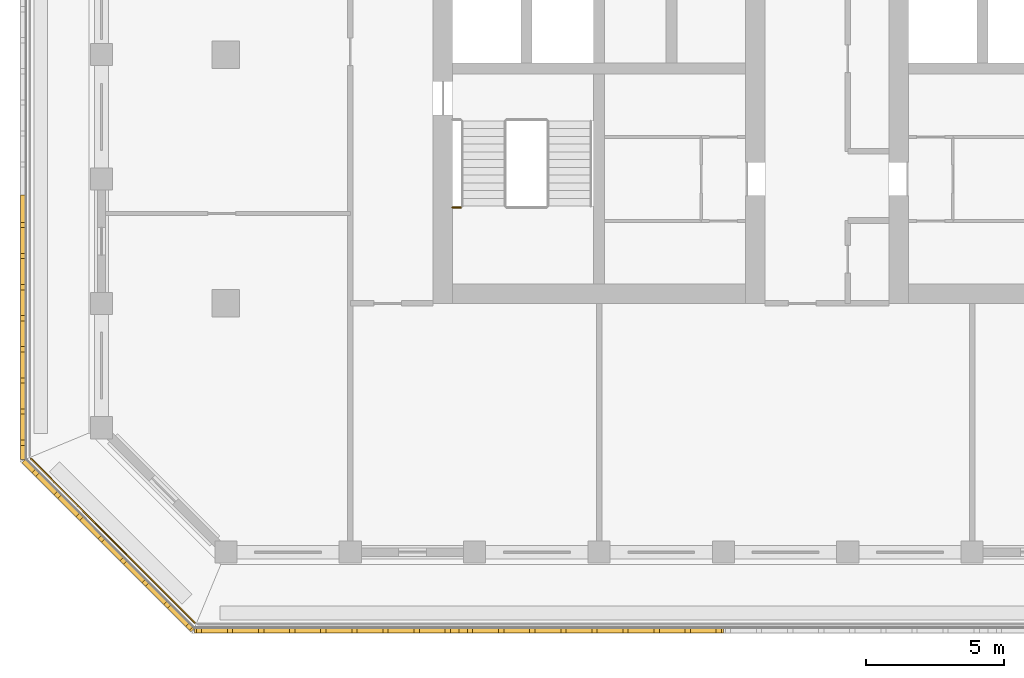
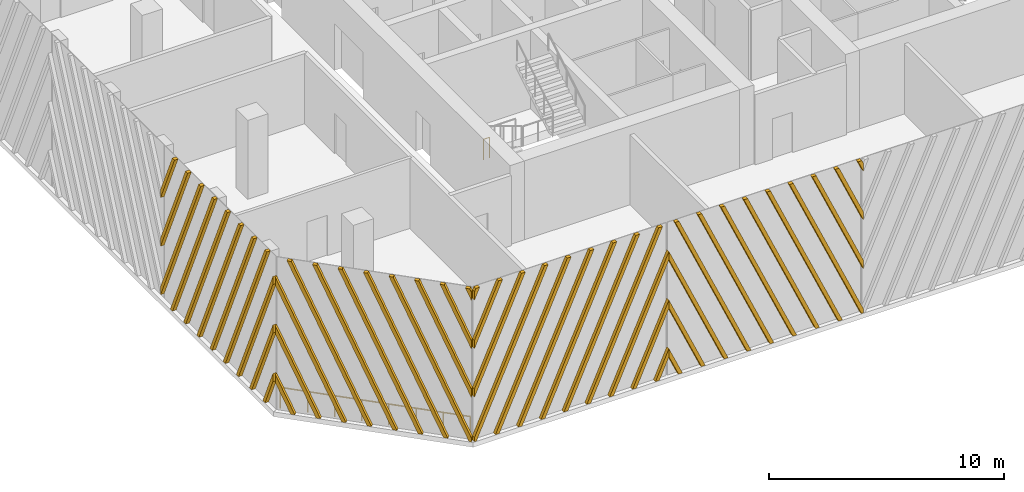
# One storey, part 8 of 15: 4 shading devices, 2 railings.
"""IFC4 building model written with IfcOpenShell, lengths in metres."""

from ifc_helpers import new_model, si_unit, direction, frame, origin, origin_2d, place, context, subcontext, project, spatial, polyline, circle, outline, extrude, source, transform, mapped, material, type_object, element, save


model = new_model("IFC4")

# Units and contexts
model_context = context("Model", 3, precision=1e-05, world=origin(), true_north=direction((0.0, 1.0)))
body_context = subcontext(model_context, "Body", "Model", "MODEL_VIEW")
ifc_project = project(units=[si_unit("LENGTHUNIT", "METRE"), si_unit("AREAUNIT", "SQUARE_METRE"), si_unit("VOLUMEUNIT", "CUBIC_METRE"), si_unit("PLANEANGLEUNIT", "RADIAN"), si_unit("MASSUNIT", "GRAM", prefix="KILO")], contexts=[model_context])

# Site, building, storey
site_placement = place(None, origin())
site = spatial("IfcSite", under=ifc_project, at=site_placement, CompositionType="ELEMENT")
building_placement = place(site_placement, origin())
building = spatial("IfcBuilding", under=site, at=building_placement, Name="Corbel Stack Research Tower", CompositionType="ELEMENT")
storey_placement = place(building_placement, frame((0.0, 0.0, 274.5)))
storey = spatial("IfcBuildingStorey", under=building, at=storey_placement, Name="L62", CompositionType="ELEMENT", Elevation=274.5)

# Railings
ifc_material_1 = material(Name="Steel S355", Category="steel")
railing_type_1 = type_object("IfcRailingType", Name="Stair guard 1100", PredefinedType="GUARDRAIL", material=ifc_material_1)
railing_1_placement = place(storey_placement, frame((-9.800048828125, -5.530029296875, 2.050048828125)))
element("IfcRailing", 1, at=railing_1_placement, inside=storey, type_object=railing_type_1, Name="L62 ST-W1 stair guard 3", PredefinedType="GUARDRAIL", context=body_context, shape_type="SweptSolid", body=[
    extrude(circle(Radius=0.02392578125, at=origin_2d()), frame((0.0, 0.0, 1.076171875), z_axis=(1.0, 0.0, 0.0), x_axis=(0.0, 1.0, 0.0)), (0.0, 0.0, 1.0), 0.300048828125),
    extrude(circle(Radius=0.02099609375, at=origin_2d()), origin(), (0.0, 0.0, 1.0), 1.052001953125),
    extrude(circle(Radius=0.02099609375, at=origin_2d()), frame((0.300048828125, 0.0, 0.0)), (0.0, 0.0, 1.0), 1.052001953125),
])
ifc_material_2 = material(Name="Powder-coated steel guard", Category="steel")
railing_type_2 = type_object("IfcRailingType", Name="Steel and glass guard 1100", PredefinedType="GUARDRAIL", material=ifc_material_2)
railing_2_placement = place(storey_placement, frame((-25.04931640625, -14.627685546875, 0.0)))
element("IfcRailing", 2, at=railing_2_placement, inside=storey, type_object=railing_type_2, Name="Loggia guard L62 SW", PredefinedType="GUARDRAIL", context=body_context, shape_type="SweptSolid", body=[
    extrude(circle(Radius=0.02392578125, at=origin_2d()), frame((0.0, 0.0, 1.076171875), z_axis=(0.707106781187, -0.707106781187, 0.0), x_axis=(0.707106781187, 0.707106781187, 0.0)), (0.0, 0.0, 1.0), 8.37451171875),
    extrude(circle(Radius=0.02099609375, at=origin_2d()), origin(), (0.0, 0.0, 1.0), 1.052001953125),
    extrude(circle(Radius=0.02099609375, at=origin_2d()), frame((0.845947265625, -0.845947265625, 0.0)), (0.0, 0.0, 1.0), 1.052001953125),
    extrude(circle(Radius=0.02099609375, at=origin_2d()), frame((1.69189453125, -1.69189453125, 0.0)), (0.0, 0.0, 1.0), 1.052001953125),
    extrude(circle(Radius=0.02099609375, at=origin_2d()), frame((2.537841796875, -2.537841796875, 0.0)), (0.0, 0.0, 1.0), 1.052001953125),
    extrude(circle(Radius=0.02099609375, at=origin_2d()), frame((3.3837890625, -3.3837890625, 0.0)), (0.0, 0.0, 1.0), 1.052001953125),
    extrude(circle(Radius=0.02099609375, at=origin_2d()), frame((4.229736328125, -4.229736328125, 0.0)), (0.0, 0.0, 1.0), 1.052001953125),
    extrude(circle(Radius=0.02099609375, at=origin_2d()), frame((5.07568359375, -5.07568359375, 0.0)), (0.0, 0.0, 1.0), 1.052001953125),
    extrude(circle(Radius=0.02099609375, at=origin_2d()), frame((5.921630859375, -5.921630859375, 0.0)), (0.0, 0.0, 1.0), 1.052001953125),
])

# Shading devices
ifc_material_3 = material(Name="Precast terracotta", Category="masonry")
shading_device_type = type_object("IfcShadingDeviceType", Name="Terracotta screen panel", PredefinedType="USERDEFINED", material=ifc_material_3)
shared_shape_1 = source(origin(), body_context, "Body", "SweptSolid", [
    extrude(outline(polyline([(0.259521484375, 7.949951171875), (0.069580078125, 7.949951171875), (0.0, 7.793701171875), (0.0, 7.366943359375), (0.259521484375, 7.949951171875)])), frame((0.0, 0.0, 0.0), z_axis=(0.0, -1.0, 0.0), x_axis=(1.0, 0.0, 0.0)), (0.0, 0.0, 1.0), 0.179931640625),
    extrude(outline(polyline([(1.384521484375, 7.949951171875), (1.194580078125, 7.949951171875), (0.0, 5.26708984375), (0.0, 4.840087890625), (1.384521484375, 7.949951171875)])), frame((0.0, 0.0, 0.0), z_axis=(0.0, -1.0, 0.0), x_axis=(1.0, 0.0, 0.0)), (0.0, 0.0, 1.0), 0.179931640625),
    extrude(outline(polyline([(2.509521484375, 7.949951171875), (2.319580078125, 7.949951171875), (0.0, 2.740234375), (0.0, 2.3134765625), (2.509521484375, 7.949951171875)])), frame((0.0, 0.0, 0.0), z_axis=(0.0, -1.0, 0.0), x_axis=(1.0, 0.0, 0.0)), (0.0, 0.0, 1.0), 0.179931640625),
    extrude(outline(polyline([(0.094970703125, 0.0), (3.634521484375, 7.949951171875), (3.444580078125, 7.949951171875), (0.0, 0.21337890625), (0.0, 0.0), (0.094970703125, 0.0)])), frame((0.0, 0.0, 0.0), z_axis=(0.0, -1.0, 0.0), x_axis=(1.0, 0.0, 0.0)), (0.0, 0.0, 1.0), 0.179931640625),
    extrude(outline(polyline([(1.219970703125, 0.0), (4.759521484375, 7.949951171875), (4.569580078125, 7.949951171875), (1.030029296875, 0.0), (1.219970703125, 0.0)])), frame((0.0, 0.0, 0.0), z_axis=(0.0, -1.0, 0.0), x_axis=(1.0, 0.0, 0.0)), (0.0, 0.0, 1.0), 0.179931640625),
    extrude(outline(polyline([(2.344970703125, 0.0), (5.884521484375, 7.949951171875), (5.694580078125, 7.949951171875), (2.155029296875, 0.0), (2.344970703125, 0.0)])), frame((0.0, 0.0, 0.0), z_axis=(0.0, -1.0, 0.0), x_axis=(1.0, 0.0, 0.0)), (0.0, 0.0, 1.0), 0.179931640625),
    extrude(outline(polyline([(3.469970703125, 0.0), (7.009521484375, 7.949951171875), (6.819580078125, 7.949951171875), (3.280029296875, 0.0), (3.469970703125, 0.0)])), frame((0.0, 0.0, 0.0), z_axis=(0.0, -1.0, 0.0), x_axis=(1.0, 0.0, 0.0)), (0.0, 0.0, 1.0), 0.179931640625),
    extrude(outline(polyline([(4.594970703125, 0.0), (8.134521484375, 7.949951171875), (7.944580078125, 7.949951171875), (4.405029296875, 0.0), (4.594970703125, 0.0)])), frame((0.0, 0.0, 0.0), z_axis=(0.0, -1.0, 0.0), x_axis=(1.0, 0.0, 0.0)), (0.0, 0.0, 1.0), 0.179931640625),
    extrude(outline(polyline([(5.719970703125, 0.0), (9.259521484375, 7.949951171875), (9.069580078125, 7.949951171875), (5.530029296875, 0.0), (5.719970703125, 0.0)])), frame((0.0, 0.0, 0.0), z_axis=(0.0, -1.0, 0.0), x_axis=(1.0, 0.0, 0.0)), (0.0, 0.0, 1.0), 0.179931640625),
    extrude(outline(polyline([(6.844970703125, 0.0), (9.569580078125, 6.119384765625), (9.569580078125, 6.546142578125), (6.655029296875, 0.0), (6.844970703125, 0.0)])), frame((0.0, 0.0, 0.0), z_axis=(0.0, -1.0, 0.0), x_axis=(1.0, 0.0, 0.0)), (0.0, 0.0, 1.0), 0.179931640625),
    extrude(outline(polyline([(7.969970703125, 0.0), (9.569580078125, 3.592529296875), (9.569580078125, 4.019287109375), (7.780029296875, 0.0), (7.969970703125, 0.0)])), frame((0.0, 0.0, 0.0), z_axis=(0.0, -1.0, 0.0), x_axis=(1.0, 0.0, 0.0)), (0.0, 0.0, 1.0), 0.179931640625),
    extrude(outline(polyline([(9.094970703125, 0.0), (9.569580078125, 1.06591796875), (9.569580078125, 1.49267578125), (8.905029296875, 0.0), (9.094970703125, 0.0)])), frame((0.0, 0.0, 0.0), z_axis=(0.0, -1.0, 0.0), x_axis=(1.0, 0.0, 0.0)), (0.0, 0.0, 1.0), 0.179931640625),
])
shading_device_1_placement = place(storey_placement, frame((-19.13916015625, -20.75, 0.0), z_axis=(0.0, 0.0, 1.0), x_axis=(1.0, 0.0, 0.0)))
element("IfcShadingDevice", 3, at=shading_device_1_placement, inside=storey, type_object=shading_device_type, Name="Terracotta screen L62 S1", ObjectType="SCREEN", PredefinedType="USERDEFINED", context=body_context, shape_type="MappedRepresentation", body=[
    mapped(shared_shape_1, transform((0.0, 0.0, 0.0))),
])
shared_shape_2 = source(origin(), body_context, "Body", "SweptSolid", [
    extrude(outline(polyline([(0.66455078125, 0.0), (0.0, 1.49267578125), (0.0, 1.06591796875), (0.474609375, 0.0), (0.66455078125, 0.0)])), frame((0.0, 0.0, 0.0), z_axis=(0.0, -1.0, 0.0), x_axis=(1.0, 0.0, 0.0)), (0.0, 0.0, 1.0), 0.179931640625),
    extrude(outline(polyline([(1.78955078125, 0.0), (0.0, 4.019287109375), (0.0, 3.592529296875), (1.599609375, 0.0), (1.78955078125, 0.0)])), frame((0.0, 0.0, 0.0), z_axis=(0.0, -1.0, 0.0), x_axis=(1.0, 0.0, 0.0)), (0.0, 0.0, 1.0), 0.179931640625),
    extrude(outline(polyline([(2.91455078125, 0.0), (0.0, 6.546142578125), (0.0, 6.119384765625), (2.724609375, 0.0), (2.91455078125, 0.0)])), frame((0.0, 0.0, 0.0), z_axis=(0.0, -1.0, 0.0), x_axis=(1.0, 0.0, 0.0)), (0.0, 0.0, 1.0), 0.179931640625),
    extrude(outline(polyline([(4.03955078125, 0.0), (0.5, 7.949951171875), (0.31005859375, 7.949951171875), (3.849609375, 0.0), (4.03955078125, 0.0)])), frame((0.0, 0.0, 0.0), z_axis=(0.0, -1.0, 0.0), x_axis=(1.0, 0.0, 0.0)), (0.0, 0.0, 1.0), 0.179931640625),
    extrude(outline(polyline([(5.16455078125, 0.0), (1.625, 7.949951171875), (1.43505859375, 7.949951171875), (4.974609375, 0.0), (5.16455078125, 0.0)])), frame((0.0, 0.0, 0.0), z_axis=(0.0, -1.0, 0.0), x_axis=(1.0, 0.0, 0.0)), (0.0, 0.0, 1.0), 0.179931640625),
    extrude(outline(polyline([(6.28955078125, 0.0), (2.75, 7.949951171875), (2.56005859375, 7.949951171875), (6.099609375, 0.0), (6.28955078125, 0.0)])), frame((0.0, 0.0, 0.0), z_axis=(0.0, -1.0, 0.0), x_axis=(1.0, 0.0, 0.0)), (0.0, 0.0, 1.0), 0.179931640625),
    extrude(outline(polyline([(7.41455078125, 0.0), (3.875, 7.949951171875), (3.68505859375, 7.949951171875), (7.224609375, 0.0), (7.41455078125, 0.0)])), frame((0.0, 0.0, 0.0), z_axis=(0.0, -1.0, 0.0), x_axis=(1.0, 0.0, 0.0)), (0.0, 0.0, 1.0), 0.179931640625),
    extrude(outline(polyline([(8.53955078125, 0.0), (5.0, 7.949951171875), (4.81005859375, 7.949951171875), (8.349609375, 0.0), (8.53955078125, 0.0)])), frame((0.0, 0.0, 0.0), z_axis=(0.0, -1.0, 0.0), x_axis=(1.0, 0.0, 0.0)), (0.0, 0.0, 1.0), 0.179931640625),
    extrude(outline(polyline([(9.569580078125, 0.0), (9.569580078125, 0.21337890625), (6.125, 7.949951171875), (5.93505859375, 7.949951171875), (9.474609375, 0.0), (9.569580078125, 0.0)])), frame((0.0, 0.0, 0.0), z_axis=(0.0, -1.0, 0.0), x_axis=(1.0, 0.0, 0.0)), (0.0, 0.0, 1.0), 0.179931640625),
    extrude(outline(polyline([(7.25, 7.949951171875), (7.06005859375, 7.949951171875), (9.569580078125, 2.3134765625), (9.569580078125, 2.740234375), (7.25, 7.949951171875)])), frame((0.0, 0.0, 0.0), z_axis=(0.0, -1.0, 0.0), x_axis=(1.0, 0.0, 0.0)), (0.0, 0.0, 1.0), 0.179931640625),
    extrude(outline(polyline([(8.375, 7.949951171875), (8.18505859375, 7.949951171875), (9.569580078125, 4.840087890625), (9.569580078125, 5.26708984375), (8.375, 7.949951171875)])), frame((0.0, 0.0, 0.0), z_axis=(0.0, -1.0, 0.0), x_axis=(1.0, 0.0, 0.0)), (0.0, 0.0, 1.0), 0.179931640625),
    extrude(outline(polyline([(9.5, 7.949951171875), (9.31005859375, 7.949951171875), (9.569580078125, 7.366943359375), (9.569580078125, 7.793701171875), (9.5, 7.949951171875)])), frame((0.0, 0.0, 0.0), z_axis=(0.0, -1.0, 0.0), x_axis=(1.0, 0.0, 0.0)), (0.0, 0.0, 1.0), 0.179931640625),
])
shading_device_2_placement = place(storey_placement, frame((-9.569580078125, -20.75, 0.0), z_axis=(0.0, 0.0, 1.0), x_axis=(1.0, 0.0, 0.0)))
element("IfcShadingDevice", 4, at=shading_device_2_placement, inside=storey, type_object=shading_device_type, Name="Terracotta screen L62 S2", ObjectType="SCREEN", PredefinedType="USERDEFINED", context=body_context, shape_type="MappedRepresentation", body=[
    mapped(shared_shape_2, transform((0.0, 0.0, 0.0))),
])
shared_shape_3 = source(origin(), body_context, "Body", "SweptSolid", [
    extrude(outline(polyline([(0.862060546875, 0.0), (0.0, 1.936279296875), (0.0, 1.509521484375), (0.672119140625, 0.0), (0.862060546875, 0.0)])), frame((0.0, 0.0, 0.0), z_axis=(0.0, -1.0, 0.0), x_axis=(1.0, 0.0, 0.0)), (0.0, 0.0, 1.0), 0.179931640625),
    extrude(outline(polyline([(1.987060546875, 0.0), (0.0, 4.463134765625), (0.0, 4.036376953125), (1.797119140625, 0.0), (1.987060546875, 0.0)])), frame((0.0, 0.0, 0.0), z_axis=(0.0, -1.0, 0.0), x_axis=(1.0, 0.0, 0.0)), (0.0, 0.0, 1.0), 0.179931640625),
    extrude(outline(polyline([(3.112060546875, 0.0), (0.0, 6.989990234375), (0.0, 6.563232421875), (2.922119140625, 0.0), (3.112060546875, 0.0)])), frame((0.0, 0.0, 0.0), z_axis=(0.0, -1.0, 0.0), x_axis=(1.0, 0.0, 0.0)), (0.0, 0.0, 1.0), 0.179931640625),
    extrude(outline(polyline([(4.237060546875, 0.0), (0.697509765625, 7.949951171875), (0.507568359375, 7.949951171875), (4.047119140625, 0.0), (4.237060546875, 0.0)])), frame((0.0, 0.0, 0.0), z_axis=(0.0, -1.0, 0.0), x_axis=(1.0, 0.0, 0.0)), (0.0, 0.0, 1.0), 0.179931640625),
    extrude(outline(polyline([(5.362060546875, 0.0), (1.822509765625, 7.949951171875), (1.632568359375, 7.949951171875), (5.172119140625, 0.0), (5.362060546875, 0.0)])), frame((0.0, 0.0, 0.0), z_axis=(0.0, -1.0, 0.0), x_axis=(1.0, 0.0, 0.0)), (0.0, 0.0, 1.0), 0.179931640625),
    extrude(outline(polyline([(6.487060546875, 0.0), (2.947509765625, 7.949951171875), (2.757568359375, 7.949951171875), (6.297119140625, 0.0), (6.487060546875, 0.0)])), frame((0.0, 0.0, 0.0), z_axis=(0.0, -1.0, 0.0), x_axis=(1.0, 0.0, 0.0)), (0.0, 0.0, 1.0), 0.179931640625),
    extrude(outline(polyline([(7.612060546875, 0.0), (4.072509765625, 7.949951171875), (3.882568359375, 7.949951171875), (7.422119140625, 0.0), (7.612060546875, 0.0)])), frame((0.0, 0.0, 0.0), z_axis=(0.0, -1.0, 0.0), x_axis=(1.0, 0.0, 0.0)), (0.0, 0.0, 1.0), 0.179931640625),
    extrude(outline(polyline([(8.64208984375, 0.0), (8.64208984375, 0.21337890625), (5.197509765625, 7.949951171875), (5.007568359375, 7.949951171875), (8.547119140625, 0.0), (8.64208984375, 0.0)])), frame((0.0, 0.0, 0.0), z_axis=(0.0, -1.0, 0.0), x_axis=(1.0, 0.0, 0.0)), (0.0, 0.0, 1.0), 0.179931640625),
    extrude(outline(polyline([(6.322509765625, 7.949951171875), (6.132568359375, 7.949951171875), (8.64208984375, 2.3134765625), (8.64208984375, 2.740234375), (6.322509765625, 7.949951171875)])), frame((0.0, 0.0, 0.0), z_axis=(0.0, -1.0, 0.0), x_axis=(1.0, 0.0, 0.0)), (0.0, 0.0, 1.0), 0.179931640625),
    extrude(outline(polyline([(7.447509765625, 7.949951171875), (7.257568359375, 7.949951171875), (8.64208984375, 4.840087890625), (8.64208984375, 5.26708984375), (7.447509765625, 7.949951171875)])), frame((0.0, 0.0, 0.0), z_axis=(0.0, -1.0, 0.0), x_axis=(1.0, 0.0, 0.0)), (0.0, 0.0, 1.0), 0.179931640625),
    extrude(outline(polyline([(8.572509765625, 7.949951171875), (8.382568359375, 7.949951171875), (8.64208984375, 7.366943359375), (8.64208984375, 7.793701171875), (8.572509765625, 7.949951171875)])), frame((0.0, 0.0, 0.0), z_axis=(0.0, -1.0, 0.0), x_axis=(1.0, 0.0, 0.0)), (0.0, 0.0, 1.0), 0.179931640625),
])
shading_device_3_placement = place(storey_placement, frame((-25.25, -14.63916015625, 0.0), z_axis=(0.0, 0.0, 1.0), x_axis=(0.707106781187, -0.707106781187, 0.0)))
element("IfcShadingDevice", 5, at=shading_device_3_placement, inside=storey, type_object=shading_device_type, Name="Terracotta screen L62 SW1", ObjectType="SCREEN", PredefinedType="USERDEFINED", context=body_context, shape_type="MappedRepresentation", body=[
    mapped(shared_shape_3, transform((0.0, 0.0, 0.0))),
])
shared_shape_4 = source(origin(), body_context, "Body", "SweptSolid", [
    extrude(outline(polyline([(1.18701171875, 7.949951171875), (0.9970703125, 7.949951171875), (0.0, 5.710693359375), (0.0, 5.283935546875), (1.18701171875, 7.949951171875)])), frame((0.0, 0.0, 0.0), z_axis=(0.0, -1.0, 0.0), x_axis=(1.0, 0.0, 0.0)), (0.0, 0.0, 1.0), 0.179931640625),
    extrude(outline(polyline([(2.31201171875, 7.949951171875), (2.1220703125, 7.949951171875), (0.0, 3.18408203125), (0.0, 2.757080078125), (2.31201171875, 7.949951171875)])), frame((0.0, 0.0, 0.0), z_axis=(0.0, -1.0, 0.0), x_axis=(1.0, 0.0, 0.0)), (0.0, 0.0, 1.0), 0.179931640625),
    extrude(outline(polyline([(3.43701171875, 7.949951171875), (3.2470703125, 7.949951171875), (0.0, 0.6572265625), (0.0, 0.23046875), (3.43701171875, 7.949951171875)])), frame((0.0, 0.0, 0.0), z_axis=(0.0, -1.0, 0.0), x_axis=(1.0, 0.0, 0.0)), (0.0, 0.0, 1.0), 0.179931640625),
    extrude(outline(polyline([(1.0224609375, 0.0), (4.56201171875, 7.949951171875), (4.3720703125, 7.949951171875), (0.83251953125, 0.0), (1.0224609375, 0.0)])), frame((0.0, 0.0, 0.0), z_axis=(0.0, -1.0, 0.0), x_axis=(1.0, 0.0, 0.0)), (0.0, 0.0, 1.0), 0.179931640625),
    extrude(outline(polyline([(2.1474609375, 0.0), (5.68701171875, 7.949951171875), (5.4970703125, 7.949951171875), (1.95751953125, 0.0), (2.1474609375, 0.0)])), frame((0.0, 0.0, 0.0), z_axis=(0.0, -1.0, 0.0), x_axis=(1.0, 0.0, 0.0)), (0.0, 0.0, 1.0), 0.179931640625),
    extrude(outline(polyline([(3.2724609375, 0.0), (6.81201171875, 7.949951171875), (6.6220703125, 7.949951171875), (3.08251953125, 0.0), (3.2724609375, 0.0)])), frame((0.0, 0.0, 0.0), z_axis=(0.0, -1.0, 0.0), x_axis=(1.0, 0.0, 0.0)), (0.0, 0.0, 1.0), 0.179931640625),
    extrude(outline(polyline([(4.3974609375, 0.0), (7.93701171875, 7.949951171875), (7.7470703125, 7.949951171875), (4.20751953125, 0.0), (4.3974609375, 0.0)])), frame((0.0, 0.0, 0.0), z_axis=(0.0, -1.0, 0.0), x_axis=(1.0, 0.0, 0.0)), (0.0, 0.0, 1.0), 0.179931640625),
    extrude(outline(polyline([(5.5224609375, 0.0), (9.06201171875, 7.949951171875), (8.8720703125, 7.949951171875), (5.33251953125, 0.0), (5.5224609375, 0.0)])), frame((0.0, 0.0, 0.0), z_axis=(0.0, -1.0, 0.0), x_axis=(1.0, 0.0, 0.0)), (0.0, 0.0, 1.0), 0.179931640625),
    extrude(outline(polyline([(6.6474609375, 0.0), (9.569580078125, 6.563232421875), (9.569580078125, 6.989990234375), (6.45751953125, 0.0), (6.6474609375, 0.0)])), frame((0.0, 0.0, 0.0), z_axis=(0.0, -1.0, 0.0), x_axis=(1.0, 0.0, 0.0)), (0.0, 0.0, 1.0), 0.179931640625),
    extrude(outline(polyline([(7.7724609375, 0.0), (9.569580078125, 4.036376953125), (9.569580078125, 4.463134765625), (7.58251953125, 0.0), (7.7724609375, 0.0)])), frame((0.0, 0.0, 0.0), z_axis=(0.0, -1.0, 0.0), x_axis=(1.0, 0.0, 0.0)), (0.0, 0.0, 1.0), 0.179931640625),
    extrude(outline(polyline([(8.8974609375, 0.0), (9.569580078125, 1.509521484375), (9.569580078125, 1.936279296875), (8.70751953125, 0.0), (8.8974609375, 0.0)])), frame((0.0, 0.0, 0.0), z_axis=(0.0, -1.0, 0.0), x_axis=(1.0, 0.0, 0.0)), (0.0, 0.0, 1.0), 0.179931640625),
])
shading_device_4_placement = place(storey_placement, frame((-25.25, -5.069580078125, 0.0), z_axis=(0.0, 0.0, 1.0), x_axis=(0.0, -1.0, 0.0)))
element("IfcShadingDevice", 6, at=shading_device_4_placement, inside=storey, type_object=shading_device_type, Name="Terracotta screen L62 W4", ObjectType="SCREEN", PredefinedType="USERDEFINED", context=body_context, shape_type="MappedRepresentation", body=[
    mapped(shared_shape_4, transform((0.0, 0.0, 0.0))),
])

save(model, "model.ifc")
